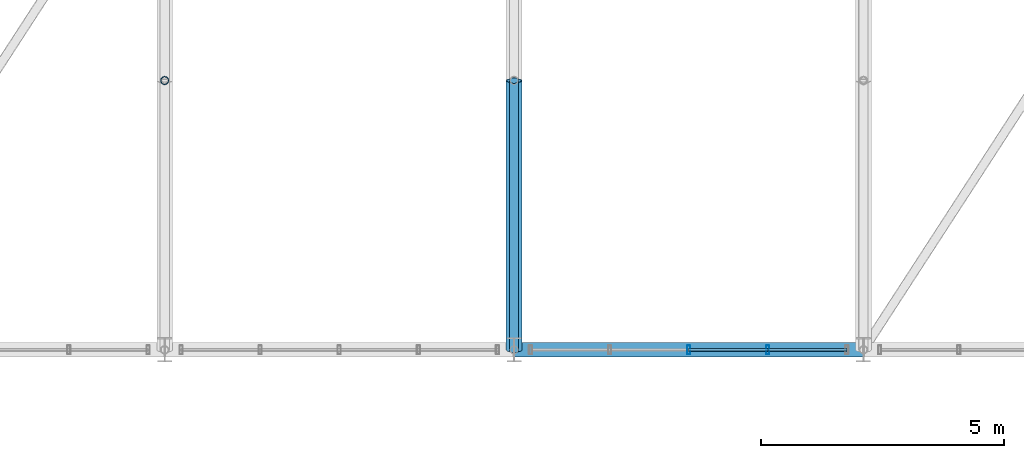
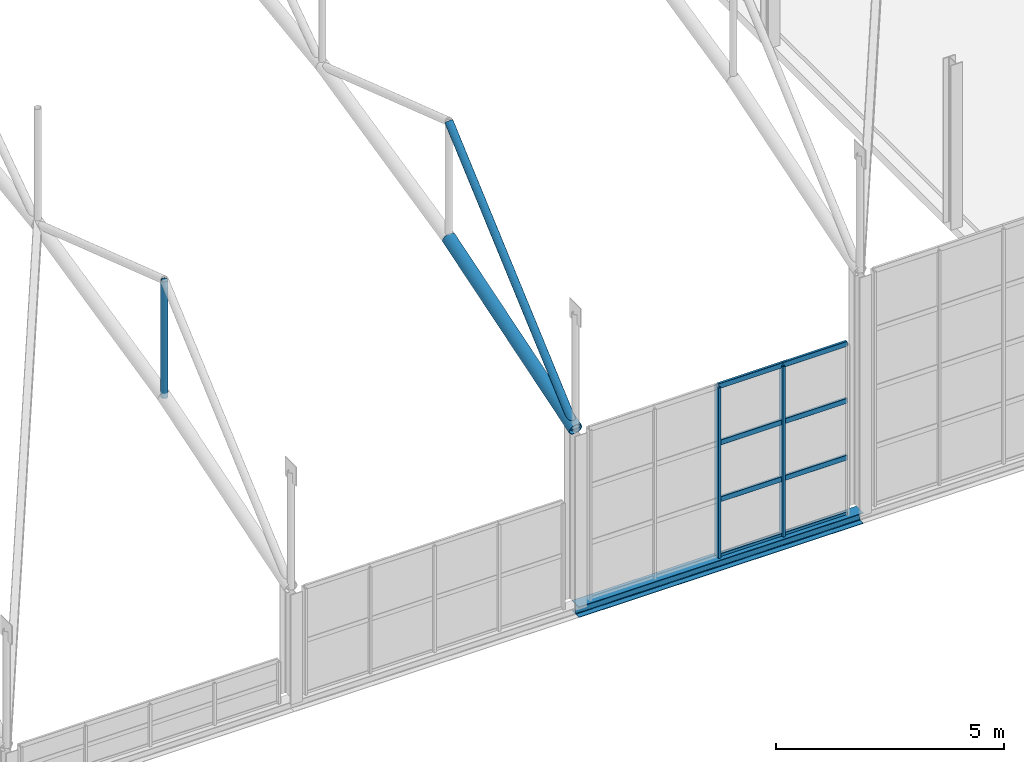
# One storey, part 41 of 153: 13 members, 1 beam, 1 element without a shape of its own.
"""IFC4 building model written with IfcOpenShell, lengths in metres."""

from ifc_helpers import new_model, si_unit, derived_unit, direction, frame, origin, origin_2d, place, context, subcontext, project, spatial, hollow_rectangle, hollow_circle, i_section, extrude, material, material_profile, profile_set, type_object, element, aggregate, save


model = new_model("IFC4")

# Units and contexts
model_context = context("Model", 3, precision=1e-05, world=origin(), true_north=direction((0.0, 1.0)))
body_context = subcontext(model_context, "Body", "Model", "MODEL_VIEW")
ifc_project = project(units=[si_unit("LENGTHUNIT", "METRE"), si_unit("AREAUNIT", "SQUARE_METRE"), si_unit("VOLUMEUNIT", "CUBIC_METRE"), si_unit("PLANEANGLEUNIT", "RADIAN"), si_unit("MASSUNIT", "GRAM", prefix="KILO"), derived_unit("THERMALTRANSMITTANCEUNIT", [(si_unit("POWERUNIT", "WATT"), 1), (si_unit("LENGTHUNIT", "METRE"), -2), (si_unit("THERMODYNAMICTEMPERATUREUNIT", "KELVIN"), -1)])], contexts=[model_context])

# Site, building, storey
site_placement = place(None, origin())
site = spatial("IfcSite", under=ifc_project, at=site_placement, CompositionType="ELEMENT")
building_placement = place(site_placement, origin())
building = spatial("IfcBuilding", under=site, at=building_placement, Name="Keldorne Ridge Multi-Sports Centre", CompositionType="ELEMENT")
storey_placement = place(building_placement, frame((0.0, 0.0, 9.60009765625)))
storey = spatial("IfcBuildingStorey", under=building, at=storey_placement, Name="L02", CompositionType="ELEMENT", Elevation=9.60009765625)

# Beam
ifc_material_1 = material(Name="Steel S355", Category="steel")
ifc_material_profile_1 = material_profile(ifc_material_1, i_section(OverallWidth=0.300048828125, OverallDepth=0.2900390625, WebThickness=0.008544921875, FlangeThickness=0.013916015625, FilletRadius=0.027099609375, at=origin_2d()), Name="HEA 300")
ifc_profile_set_1 = profile_set([ifc_material_profile_1], Name="Steel S355")
beam_type = type_object("IfcBeamType", Name="BM-SP-04", PredefinedType="SPANDREL", material=ifc_profile_set_1)
beam_placement = place(storey_placement, frame((63.60009765625, 9.60009765625, -0.150146484375), z_axis=(1.0, 0.0, 0.0), x_axis=(0.0, 1.0, 0.0)))
element("IfcBeam", 1, at=beam_placement, inside=storey, type_object=beam_type, Name="Main Hall south spandrel L02.9", PredefinedType="SPANDREL", context=body_context, shape_type="SweptSolid", body=[
    extrude(i_section(OverallWidth=0.300048828125, OverallDepth=0.2900390625, WebThickness=0.008544921875, FlangeThickness=0.013916015625, FilletRadius=0.027099609375, at=origin_2d()), origin(), (0.0, 0.0, 1.0), 7.199951171875),
])

# Curtain wall, members
ifc_material_2 = material(Name="Anodized aluminium", Category="aluminium")
curtain_wall_type = type_object("IfcCurtainWallType", Name="CW-CW-08", PredefinedType="NOTDEFINED", material=ifc_material_2)
curtain_wall_placement = place(storey_placement, origin())
curtain_wall = element("IfcCurtainWall", 2, at=curtain_wall_placement, inside=storey, type_object=curtain_wall_type, Name="Main Hall south high clerestory 024", PredefinedType="NOTDEFINED")
ifc_material_profile_2 = material_profile(ifc_material_2, hollow_rectangle(XDim=0.06494140625, YDim=0.179931640625, WallThickness=0.00439453125, InnerFilletRadius=0.00439453125, OuterFilletRadius=0.009033203125, at=origin_2d()), Name="ALU MULLION 180x65x4.5")
ifc_profile_set_2 = profile_set([ifc_material_profile_2], Name="Anodized aluminium")
member_type_1 = type_object("IfcMemberType", Name="MEM-ML-01", PredefinedType="MULLION", material=ifc_profile_set_2)
member_1_placement = place(storey_placement, frame((67.199951171875, 9.60009765625, 0.0), z_axis=(0.0, 0.0, 1.0), x_axis=(1.0, 0.0, 0.0)))
member_1 = element("IfcMember", 3, at=member_1_placement, type_object=member_type_1, Name="CW-024 vertical mullion 3", PredefinedType="MULLION", context=body_context, shape_type="SweptSolid", body=[
    extrude(hollow_rectangle(XDim=0.06494140625, YDim=0.179931640625, WallThickness=0.00439453125, InnerFilletRadius=0.00439453125, OuterFilletRadius=0.009033203125, at=origin_2d()), origin(), (0.0, 0.0, 1.0), 4.559814453125),
])
member_2_placement = place(storey_placement, frame((68.830078125, 9.60009765625, 0.0), z_axis=(0.0, 0.0, 1.0), x_axis=(1.0, 0.0, 0.0)))
member_2 = element("IfcMember", 4, at=member_2_placement, type_object=member_type_1, Name="CW-024 vertical mullion 4", PredefinedType="MULLION", context=body_context, shape_type="SweptSolid", body=[
    extrude(hollow_rectangle(XDim=0.06494140625, YDim=0.179931640625, WallThickness=0.00439453125, InnerFilletRadius=0.00439453125, OuterFilletRadius=0.009033203125, at=origin_2d()), origin(), (0.0, 0.0, 1.0), 4.559814453125),
])

# Members
ifc_material_profile_3 = material_profile(ifc_material_1, hollow_circle(Radius=0.161865234375, WallThickness=0.01611328125, at=origin_2d()), Name="CHS 323.9x16")
ifc_profile_set_3 = profile_set([ifc_material_profile_3], Name="Steel S355")
member_type_2 = type_object("IfcMemberType", Name="MEM-TC-02", PredefinedType="CHORD", material=ifc_profile_set_3)
member_3_placement = place(storey_placement, frame((63.60009765625, 9.60009765625, 4.659912109375), z_axis=(0.0, 0.953709395146, 0.300729761763), x_axis=(-1.0, 0.0, 0.0)))
element("IfcMember", 5, at=member_3_placement, inside=storey, type_object=member_type_2, Name="Main Hall ROOF TRUSS AT-09 bottom chord 1", PredefinedType="CHORD", context=body_context, shape_type="SweptSolid", body=[
    extrude(hollow_circle(Radius=0.161865234375, WallThickness=0.01611328125, at=origin_2d()), origin(), (0.0, 0.0, 1.0), 5.819091796875),
])
ifc_material_profile_4 = material_profile(ifc_material_1, hollow_circle(Radius=0.096923828125, WallThickness=0.010009765625, at=origin_2d()), Name="CHS 193.7x10")
ifc_profile_set_4 = profile_set([ifc_material_profile_4], Name="Steel S355")
member_type_3 = type_object("IfcMemberType", Name="MEM-TD-01", PredefinedType="BRACE", material=ifc_profile_set_4)
member_4_placement = place(storey_placement, frame((63.60009765625, 9.60009765625, 4.659912109375), z_axis=(0.0, 0.751650110512, 0.659562060285), x_axis=(-1.0, 0.0, 0.0)))
element("IfcMember", 6, at=member_4_placement, inside=storey, type_object=member_type_3, Name="Main Hall ROOF TRUSS AT-09 diagonal 1", PredefinedType="BRACE", context=body_context, shape_type="SweptSolid", body=[
    extrude(hollow_circle(Radius=0.096923828125, WallThickness=0.010009765625, at=origin_2d()), origin(), (0.0, 0.0, 1.0), 7.383544921875),
])

# Member
ifc_material_profile_5 = material_profile(ifc_material_2, hollow_rectangle(XDim=0.06494140625, YDim=0.139892578125, WallThickness=0.00439453125, InnerFilletRadius=0.00439453125, OuterFilletRadius=0.009033203125, at=origin_2d()), Name="ALU TRANSOM 140x65x4.5")
ifc_profile_set_5 = profile_set([ifc_material_profile_5], Name="Anodized aluminium")
member_type_4 = type_object("IfcMemberType", Name="MEM-TR-01", PredefinedType="USERDEFINED", material=ifc_profile_set_5)
member_5_placement = place(storey_placement, frame((67.199951171875, 9.60009765625, 0.0), z_axis=(1.0, 0.0, 0.0), x_axis=(0.0, 1.0, 0.0)))
member_5 = element("IfcMember", 7, at=member_5_placement, type_object=member_type_4, Name="CW-024 transom 3.1", ObjectType="TRANSOM", PredefinedType="USERDEFINED", context=body_context, shape_type="SweptSolid", body=[
    extrude(hollow_rectangle(XDim=0.06494140625, YDim=0.139892578125, WallThickness=0.00439453125, InnerFilletRadius=0.00439453125, OuterFilletRadius=0.009033203125, at=origin_2d()), origin(), (0.0, 0.0, 1.0), 1.630126953125),
])

member_6_placement = place(storey_placement, frame((67.199951171875, 9.60009765625, 1.52001953125), z_axis=(1.0, 0.0, 0.0), x_axis=(0.0, 1.0, 0.0)))
member_6 = element("IfcMember", 8, at=member_6_placement, type_object=member_type_4, Name="CW-024 transom 3.2", ObjectType="TRANSOM", PredefinedType="USERDEFINED", context=body_context, shape_type="SweptSolid", body=[
    extrude(hollow_rectangle(XDim=0.06494140625, YDim=0.139892578125, WallThickness=0.00439453125, InnerFilletRadius=0.00439453125, OuterFilletRadius=0.009033203125, at=origin_2d()), origin(), (0.0, 0.0, 1.0), 1.630126953125),
])

member_7_placement = place(storey_placement, frame((67.199951171875, 9.60009765625, 3.039794921875), z_axis=(1.0, 0.0, 0.0), x_axis=(0.0, 1.0, 0.0)))
member_7 = element("IfcMember", 9, at=member_7_placement, type_object=member_type_4, Name="CW-024 transom 3.3", ObjectType="TRANSOM", PredefinedType="USERDEFINED", context=body_context, shape_type="SweptSolid", body=[
    extrude(hollow_rectangle(XDim=0.06494140625, YDim=0.139892578125, WallThickness=0.00439453125, InnerFilletRadius=0.00439453125, OuterFilletRadius=0.009033203125, at=origin_2d()), origin(), (0.0, 0.0, 1.0), 1.630126953125),
])

member_8_placement = place(storey_placement, frame((67.199951171875, 9.60009765625, 4.559814453125), z_axis=(1.0, 0.0, 0.0), x_axis=(0.0, 1.0, 0.0)))
member_8 = element("IfcMember", 10, at=member_8_placement, type_object=member_type_4, Name="CW-024 transom 3.4", ObjectType="TRANSOM", PredefinedType="USERDEFINED", context=body_context, shape_type="SweptSolid", body=[
    extrude(hollow_rectangle(XDim=0.06494140625, YDim=0.139892578125, WallThickness=0.00439453125, InnerFilletRadius=0.00439453125, OuterFilletRadius=0.009033203125, at=origin_2d()), origin(), (0.0, 0.0, 1.0), 1.630126953125),
])

member_9_placement = place(storey_placement, frame((68.830078125, 9.60009765625, 0.0), z_axis=(1.0, 0.0, 0.0), x_axis=(0.0, 1.0, 0.0)))
member_9 = element("IfcMember", 11, at=member_9_placement, type_object=member_type_4, Name="CW-024 transom 4.1", ObjectType="TRANSOM", PredefinedType="USERDEFINED", context=body_context, shape_type="SweptSolid", body=[
    extrude(hollow_rectangle(XDim=0.06494140625, YDim=0.139892578125, WallThickness=0.00439453125, InnerFilletRadius=0.00439453125, OuterFilletRadius=0.009033203125, at=origin_2d()), origin(), (0.0, 0.0, 1.0), 1.6298828125),
])

member_10_placement = place(storey_placement, frame((68.830078125, 9.60009765625, 1.52001953125), z_axis=(1.0, 0.0, 0.0), x_axis=(0.0, 1.0, 0.0)))
member_10 = element("IfcMember", 12, at=member_10_placement, type_object=member_type_4, Name="CW-024 transom 4.2", ObjectType="TRANSOM", PredefinedType="USERDEFINED", context=body_context, shape_type="SweptSolid", body=[
    extrude(hollow_rectangle(XDim=0.06494140625, YDim=0.139892578125, WallThickness=0.00439453125, InnerFilletRadius=0.00439453125, OuterFilletRadius=0.009033203125, at=origin_2d()), origin(), (0.0, 0.0, 1.0), 1.6298828125),
])

member_11_placement = place(storey_placement, frame((68.830078125, 9.60009765625, 3.039794921875), z_axis=(1.0, 0.0, 0.0), x_axis=(0.0, 1.0, 0.0)))
member_11 = element("IfcMember", 13, at=member_11_placement, type_object=member_type_4, Name="CW-024 transom 4.3", ObjectType="TRANSOM", PredefinedType="USERDEFINED", context=body_context, shape_type="SweptSolid", body=[
    extrude(hollow_rectangle(XDim=0.06494140625, YDim=0.139892578125, WallThickness=0.00439453125, InnerFilletRadius=0.00439453125, OuterFilletRadius=0.009033203125, at=origin_2d()), origin(), (0.0, 0.0, 1.0), 1.6298828125),
])

member_12_placement = place(storey_placement, frame((68.830078125, 9.60009765625, 4.559814453125), z_axis=(1.0, 0.0, 0.0), x_axis=(0.0, 1.0, 0.0)))
member_12 = element("IfcMember", 14, at=member_12_placement, type_object=member_type_4, Name="CW-024 transom 4.4", ObjectType="TRANSOM", PredefinedType="USERDEFINED", context=body_context, shape_type="SweptSolid", body=[
    extrude(hollow_rectangle(XDim=0.06494140625, YDim=0.139892578125, WallThickness=0.00439453125, InnerFilletRadius=0.00439453125, OuterFilletRadius=0.009033203125, at=origin_2d()), origin(), (0.0, 0.0, 1.0), 1.6298828125),
])

aggregate(curtain_wall, [member_1, member_2, member_5, member_6, member_7, member_8, member_9, member_10, member_11, member_12])

ifc_material_profile_6 = material_profile(ifc_material_1, hollow_circle(Radius=0.084228515625, WallThickness=0.010009765625, at=origin_2d()), Name="CHS 168.3x10")
ifc_profile_set_6 = profile_set([ifc_material_profile_6], Name="Steel S355")
member_type_5 = type_object("IfcMemberType", Name="MEM-TV-01", PredefinedType="STRUT", material=ifc_profile_set_6)
member_13_placement = place(storey_placement, frame((56.39990234375, 15.14990234375, 4.68994140625), z_axis=(0.0, 0.0, 1.0), x_axis=(1.0, 0.0, 0.0)))
element("IfcMember", 15, at=member_13_placement, inside=storey, type_object=member_type_5, Name="Main Hall ROOF TRUSS AT-08 vertical 2", PredefinedType="STRUT", context=body_context, shape_type="SweptSolid", body=[
    extrude(hollow_circle(Radius=0.084228515625, WallThickness=0.010009765625, at=origin_2d()), origin(), (0.0, 0.0, 1.0), 3.119873046875),
])

save(model, "model.ifc")
